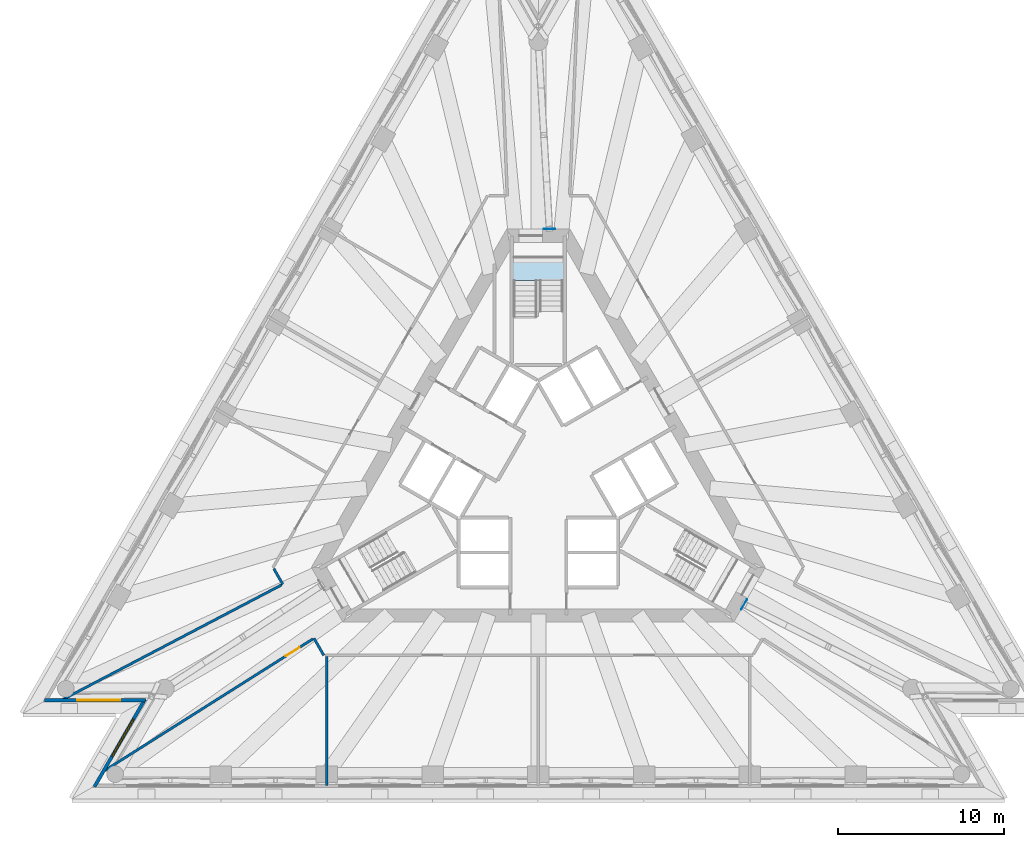
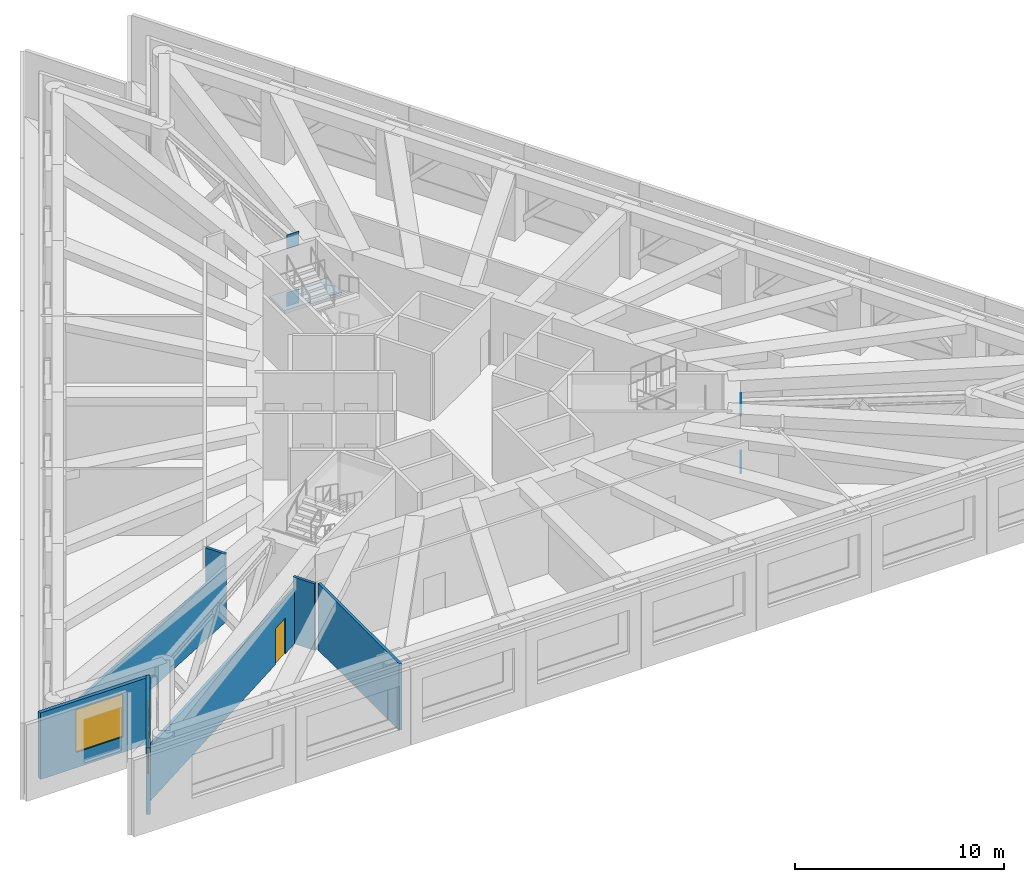
# One storey, part 6 of 13: 7 walls, 4 plates, 2 windows, 1 door, 1 slab, 3 openings, 1 element without a shape of its own.
"""IFC4 building model written with IfcOpenShell, lengths in metres."""

from ifc_helpers import new_model, si_unit, direction, frame, frame_2d, origin, origin_2d, place, context, subcontext, project, spatial, polyline, rectangle, outline, extrude, material, layer, layer_set, layer_usage, type_object, element, fill, aggregate, save


model = new_model("IFC4")

# Units and contexts
model_context = context("Model", 3, precision=1e-05, world=origin(), true_north=direction((0.0, 1.0)))
body_context = subcontext(model_context, "Body", "Model", "MODEL_VIEW")
ifc_project = project(units=[si_unit("LENGTHUNIT", "METRE"), si_unit("AREAUNIT", "SQUARE_METRE"), si_unit("VOLUMEUNIT", "CUBIC_METRE"), si_unit("PLANEANGLEUNIT", "RADIAN"), si_unit("MASSUNIT", "GRAM", prefix="KILO")], contexts=[model_context])

# Site, building, storey
site_placement = place(None, origin())
site = spatial("IfcSite", under=ifc_project, at=site_placement, CompositionType="ELEMENT")
building_placement = place(site_placement, origin())
building = spatial("IfcBuilding", under=site, at=building_placement, Name="Triada Interchange Tower", CompositionType="ELEMENT")
storey_placement = place(building_placement, frame((0.0, 0.0, 176.300048828125)))
storey = spatial("IfcBuildingStorey", under=building, at=storey_placement, Name="L41", CompositionType="ELEMENT", Elevation=176.300048828125)

# Plates
ifc_material_1 = material(Name="Steel S460M", Category="steel")
ifc_layer_1 = layer(ifc_material_1, 0.01806640625)
ifc_layer_set_1 = layer_set([ifc_layer_1], Name="Outrigger end plate 18")
plate_type = type_object("IfcPlateType", Name="Outrigger end plate 18", PredefinedType="SHEET", material=ifc_layer_set_1)
for number, where, z_axis, x_axis, name in (
    (1, (0.6669921875, 14.708984375, -0.14990234375), (0.0, 0.0, 1.0), (0.0, 1.0, 0.0), "Outrigger end plate N bottom L41"),
    (2, (0.6669921875, 14.708984375, 3.22607421875), (0.0, 0.0, 1.0), (0.0, 1.0, 0.0), "Outrigger end plate N top L41"),
    (3, (12.405029296875, -7.931884765625, -0.14990234375), (0.0, 0.0, 1.0), (0.866025403784, -0.5, 0.0), "Outrigger end plate SE bottom L41"),
    (4, (12.405029296875, -7.931884765625, 3.22607421875), (0.0, 0.0, 1.0), (0.866025403784, -0.5, 0.0), "Outrigger end plate SE top L41"),
):
    element("IfcPlate", number, at=place(storey_placement, frame(where, z_axis=z_axis, x_axis=x_axis)), inside=storey, type_object=plate_type, Name=name, PredefinedType="SHEET", context=body_context, shape_type="SweptSolid", body=[
        extrude(rectangle(XDim=0.01806640625, YDim=0.699951171875, at=origin_2d()), origin(), (0.0, 0.0, 1.0), 0.823974609375),
    ])

# Stair, slab
ifc_material_2 = material(Name="Concrete C35/45", Category="concrete")
stair_type = type_object("IfcStairType", Name="HALF TURN STAIR 1400", PredefinedType="HALF_TURN_STAIR", material=ifc_material_2)
stair_placement = place(storey_placement, origin())
stair = element("IfcStair", 5, at=stair_placement, inside=storey, type_object=stair_type, Name="Exit stair S41-1", PredefinedType="HALF_TURN_STAIR")
ifc_layer_2 = layer(ifc_material_2, 0.199951171875)
ifc_layer_set_2 = layer_set([ifc_layer_2], Name="STAIR LANDING 200")
slab_type = type_object("IfcSlabType", Name="STAIR LANDING 200", PredefinedType="LANDING", material=ifc_layer_set_2)
slab_placement = place(storey_placement, frame((0.0, 0.0, 1.972412109375)))
slab = element("IfcSlab", 6, at=slab_placement, type_object=slab_type, Name="S41-1 landing 3", PredefinedType="LANDING", context=body_context, shape_type="SweptSolid", body=[
    extrude(outline(polyline([(1.60009765625, 11.60009765625), (1.60009765625, 13.0), (-1.60009765625, 13.0), (-1.60009765625, 11.60009765625), (1.60009765625, 11.60009765625)])), origin(), (0.0, 0.0, 1.0), 0.199951171875),
])
aggregate(stair, [slab])

# Wall, opening, window
ifc_material_3 = material(Name="Cement board")
ifc_layer_3 = layer(ifc_material_3, 0.02001953125, Name="Cement board cladding")
ifc_material_4 = material(Name="Sheathing board")
ifc_layer_4 = layer(ifc_material_4, 0.014892578125, Name="Sheathing board")
ifc_material_5 = material(Name="Mineral wool")
ifc_layer_5 = layer(ifc_material_5, 0.14990234375, Name="Mineral wool between steel studs")
ifc_material_6 = material(Name="Gypsum board")
ifc_layer_6 = layer(ifc_material_6, 0.014892578125, Name="Plasterboard lining")
ifc_layer_set_3 = layer_set([ifc_layer_3, ifc_layer_4, ifc_layer_5, ifc_layer_6], Name="External wall 200")
ifc_layer_usage = layer_usage(ifc_layer_set_3, "AXIS2", "POSITIVE", -0.10009765625)
wall_type_1 = type_object("IfcWallType", Name="External wall 200", PredefinedType="ELEMENTEDWALL", material=ifc_layer_set_3)
wall_1_placement = place(storey_placement, frame((-29.787109375, -13.715087890625, 0.0), z_axis=(0.0, 0.0, 1.0), x_axis=(1.0, 0.0, 0.0)))
wall_1 = element("IfcWall", 7, at=wall_1_placement, inside=storey, type_object=wall_type_1, material=ifc_layer_usage, Name="External wall L41 SW-1", PredefinedType="ELEMENTEDWALL", context=body_context, shape_type="SweptSolid", body=[
    extrude(rectangle(XDim=6.10205078125, YDim=0.199951171875, at=frame_2d((3.051025390625, 0.0))), origin(), (0.0, 0.0, 1.0), 3.89990234375),
])
opening_1_placement = place(wall_1_placement, frame((1.989990234375, 0.0, 0.89990234375)))
opening_1 = element("IfcOpeningElement", 8, at=opening_1_placement, cuts=wall_1, Name="Opening WB09", PredefinedType="OPENING", context=body_context, shape_type="SweptSolid", body=[
    extrude(rectangle(XDim=2.60009765625, YDim=2.5, at=frame_2d((1.300048828125, 1.25))), frame((0.0, 0.10986328125, 0.0), z_axis=(0.0, -1.0, 0.0), x_axis=(1.0, 0.0, 0.0)), (0.0, 0.0, 1.0), 0.219970703125),
])
ifc_material_7 = material(Name="Double glazed aluminium window", Category="aluminium")
window_type = type_object("IfcWindowType", Name="Ribbon window B pocket", PartitioningType="SINGLE_PANEL", PredefinedType="WINDOW", material=ifc_material_7)
window_1_placement = place(opening_1_placement, origin())
window_1 = element("IfcWindow", 9, at=window_1_placement, inside=storey, type_object=window_type, Name="Window L41 SW-1 1", OverallHeight=2.5, OverallWidth=2.60009765625, PartitioningType="SINGLE_PANEL", PredefinedType="WINDOW", context=body_context, shape_type="SweptSolid", body=[
    extrude(rectangle(XDim=2.60009765625, YDim=2.5, at=frame_2d((1.300048828125, 1.25))), frame((0.0, 0.030029296875, 0.0), z_axis=(0.0, -1.0, 0.0), x_axis=(1.0, 0.0, 0.0)), (0.0, 0.0, 1.0), 0.06005859375),
])
fill(opening_1, window_1)

wall_2_placement = place(storey_placement, frame((-23.7099609375, -13.636962890625, 0.0), z_axis=(0.0, 0.0, 1.0), x_axis=(-0.49995563381, -0.866051017101, 0.0)))
wall_2 = element("IfcWall", 10, at=wall_2_placement, inside=storey, type_object=wall_type_1, material=ifc_layer_usage, Name="External wall L41 SW-2", PredefinedType="ELEMENTEDWALL", context=body_context, shape_type="SweptSolid", body=[
    extrude(rectangle(XDim=6.1025390625, YDim=0.199951171875, at=frame_2d((3.05126953125, 0.0))), origin(), (0.0, 0.0, 1.0), 3.89990234375),
])
opening_2_placement = place(wall_2_placement, frame((1.389892578125, 0.0, 0.89990234375)))
opening_2 = element("IfcOpeningElement", 11, at=opening_2_placement, cuts=wall_2, Name="Opening WB10", PredefinedType="OPENING", context=body_context, shape_type="SweptSolid", body=[
    extrude(rectangle(XDim=2.60009765625, YDim=2.5, at=frame_2d((1.300048828125, 1.25))), frame((0.0, 0.10986328125, 0.0), z_axis=(0.0, -1.0, 0.0), x_axis=(1.0, 0.0, 0.0)), (0.0, 0.0, 1.0), 0.219970703125),
])
window_2_placement = place(opening_2_placement, origin())
window_2 = element("IfcWindow", 12, at=window_2_placement, inside=storey, type_object=window_type, Name="Window L41 SW-2 1", OverallHeight=2.5, OverallWidth=2.60009765625, PartitioningType="SINGLE_PANEL", PredefinedType="WINDOW", context=body_context, shape_type="SweptSolid", body=[
    extrude(rectangle(XDim=2.60009765625, YDim=2.5, at=frame_2d((1.300048828125, 1.25))), frame((0.0, 0.030029296875, 0.0), z_axis=(0.0, -1.0, 0.0), x_axis=(1.0, 0.0, 0.0)), (0.0, 0.0, 1.0), 0.06005859375),
])
fill(opening_2, window_2)

# Walls
ifc_material_8 = material(Name="Gypsum board partition")
ifc_layer_7 = layer(ifc_material_8, 0.14990234375)
ifc_layer_set_4 = layer_set([ifc_layer_7], Name="PARTITION 150 EI 180")
wall_type_2 = type_object("IfcWallType", Name="PARTITION 150 EI 180", PredefinedType="PARTITIONING", material=ifc_layer_set_4)
wall_3_placement = place(storey_placement, frame((-15.948974609375, -5.77490234375, 0.0), z_axis=(0.0, 0.0, 1.0), x_axis=(0.5001052534, -0.865964627177, 0.0)))
element("IfcWall", 13, at=wall_3_placement, inside=storey, type_object=wall_type_2, Name="Wall L41 2", PredefinedType="PARTITIONING", context=body_context, shape_type="SweptSolid", body=[
    extrude(rectangle(XDim=1.085693359375, YDim=0.14990234375, at=frame_2d((0.54296875, 0.0))), origin(), (0.0, 0.0, 1.0), 3.89990234375),
])
wall_4_placement = place(storey_placement, frame((-13.527099609375, -9.969970703125, 0.0), z_axis=(0.0, 0.0, 1.0), x_axis=(0.499562467058, -0.866277866222, 0.0)))
element("IfcWall", 14, at=wall_4_placement, inside=storey, type_object=wall_type_2, Name="Wall L41 3", PredefinedType="PARTITIONING", context=body_context, shape_type="SweptSolid", body=[
    extrude(rectangle(XDim=1.18896484375, YDim=0.14990234375, at=frame_2d((0.594482421875, 0.0))), origin(), (0.0, 0.0, 1.0), 3.89990234375),
])
wall_5_placement = place(storey_placement, frame((-28.77197265625, -13.715087890625, 0.0), z_axis=(0.0, 0.0, 1.0), x_axis=(0.885861453931, 0.463949872766, 0.0)))
element("IfcWall", 15, at=wall_5_placement, inside=storey, type_object=wall_type_2, Name="Wall L41 4", PredefinedType="PARTITIONING", context=body_context, shape_type="SweptSolid", body=[
    extrude(rectangle(XDim=15.0126953125, YDim=0.14990234375, at=frame_2d((7.50634765625, 0.0))), origin(), (0.0, 0.0, 1.0), 3.199951171875),
])

# Wall, opening, door
wall_6_placement = place(storey_placement, frame((-26.22705078125, -17.998046875, 0.0), z_axis=(0.0, 0.0, 1.0), x_axis=(0.845264910481, 0.534347481616, 0.0)))
wall_6 = element("IfcWall", 16, at=wall_6_placement, inside=storey, type_object=wall_type_2, Name="Wall L41 5", PredefinedType="PARTITIONING", context=body_context, shape_type="SweptSolid", body=[
    extrude(rectangle(XDim=14.94921875, YDim=0.14990234375, at=frame_2d((7.474609375, 0.0))), origin(), (0.0, 0.0, 1.0), 3.199951171875),
])
opening_3_placement = place(wall_6_placement, frame((13.008056640625, 0.0, 0.0)))
opening_3 = element("IfcOpeningElement", 17, at=opening_3_placement, cuts=wall_6, Name="Opening D41-07", PredefinedType="OPENING", context=body_context, shape_type="SweptSolid", body=[
    extrude(rectangle(XDim=1.0, YDim=2.10009765625, at=frame_2d((0.5, 1.050048828125))), frame((0.0, 0.0849609375, 0.0), z_axis=(0.0, -1.0, 0.0), x_axis=(1.0, 0.0, 0.0)), (0.0, 0.0, 1.0), 0.169921875),
])
ifc_material_9 = material(Name="Steel S235 door leaf", Category="steel")
door_type = type_object("IfcDoorType", Name="ROOM DOOR 1000 EI2 90-C5S200", OperationType="NOTDEFINED", PredefinedType="DOOR", material=ifc_material_9)
door_placement = place(opening_3_placement, origin())
door = element("IfcDoor", 18, at=door_placement, inside=storey, type_object=door_type, Name="Door D41-07 L41", OperationType="SINGLE_SWING_LEFT", OverallHeight=2.10009765625, OverallWidth=1.0, PredefinedType="DOOR", context=body_context, shape_type="SweptSolid", body=[
    extrude(rectangle(XDim=1.0, YDim=2.10009765625, at=frame_2d((0.5, 1.050048828125))), frame((0.0, 0.02490234375, 0.0), z_axis=(0.0, -1.0, 0.0), x_axis=(1.0, 0.0, 0.0)), (0.0, 0.0, 1.0), 0.050048828125),
])
fill(opening_3, door)

# Wall
wall_7_placement = place(storey_placement, frame((-12.756103515625, -18.861083984375, 0.0), z_axis=(0.0, 0.0, 1.0), x_axis=(0.0, 1.0, 0.0)))
element("IfcWall", 19, at=wall_7_placement, inside=storey, type_object=wall_type_2, Name="Wall L41 10", PredefinedType="PARTITIONING", context=body_context, shape_type="SweptSolid", body=[
    extrude(rectangle(XDim=7.7861328125, YDim=0.14990234375, at=frame_2d((3.89306640625, 0.0))), origin(), (0.0, 0.0, 1.0), 3.89990234375),
])

save(model, "model.ifc")
